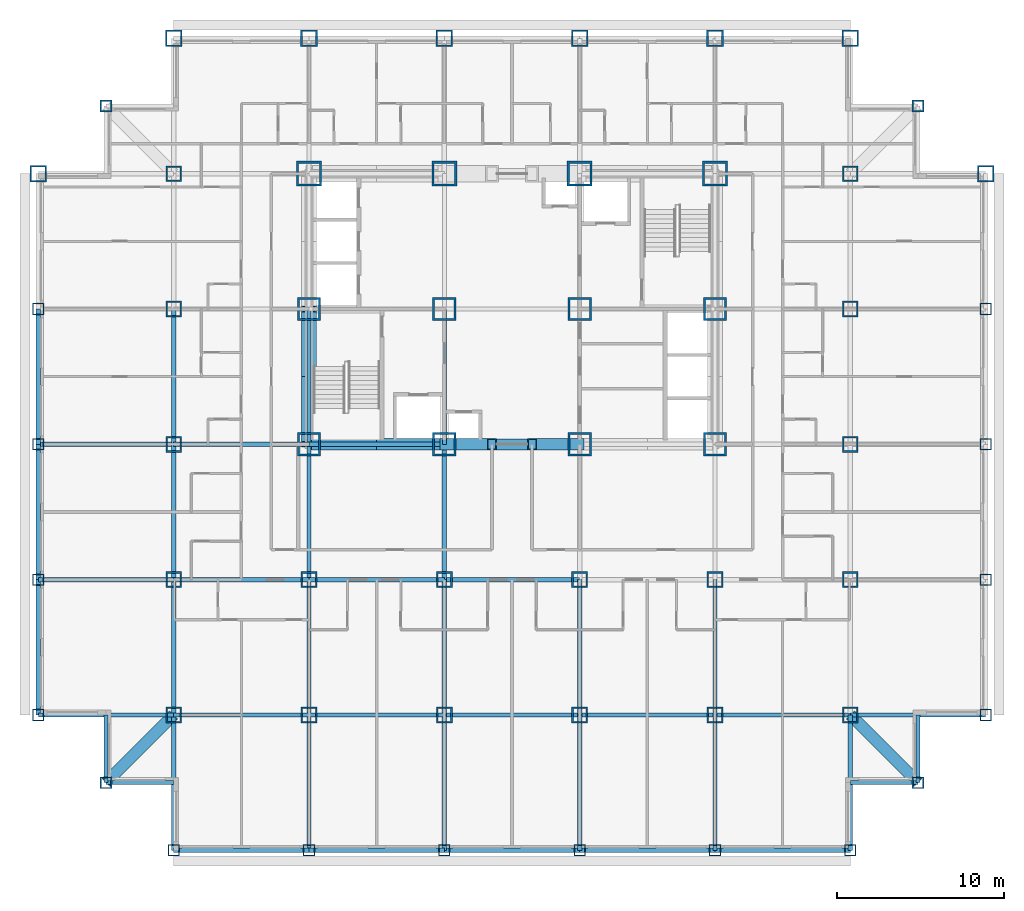
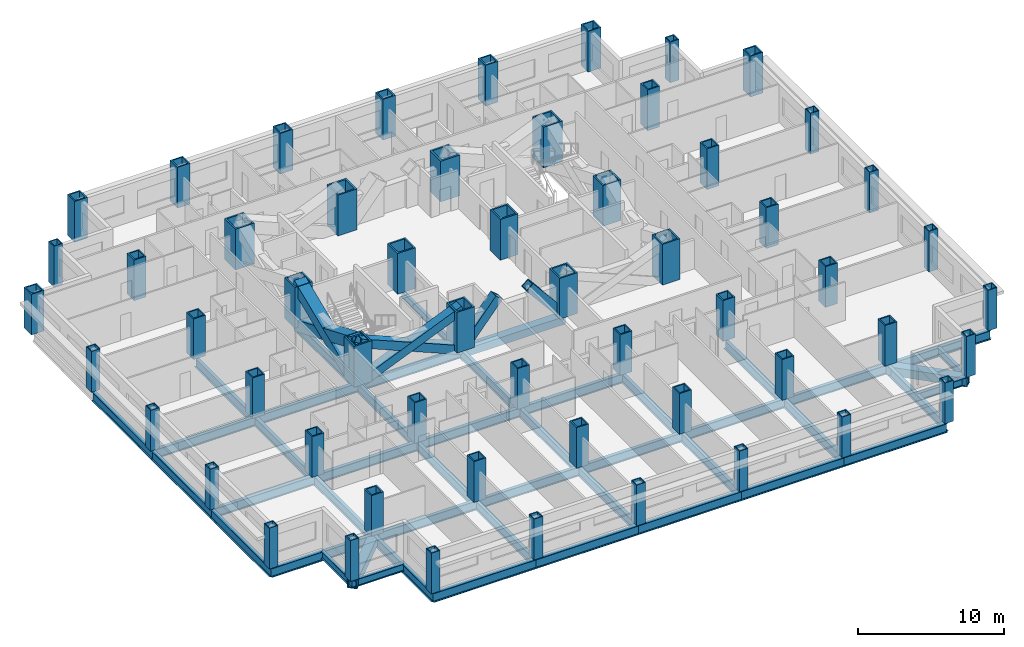
# One storey, part 1 of 11: 56 columns, 46 beams, 6 members.
"""IFC4 building model written with IfcOpenShell, lengths in metres."""

from ifc_helpers import new_model, si_unit, direction, frame, origin, origin_2d, place, context, subcontext, project, spatial, hollow_rectangle, i_section, extrude, material, material_profile, profile_set, type_object, element, save


model = new_model("IFC4")

# Units and contexts
model_context = context("Model", 3, precision=1e-05, world=origin(), true_north=direction((0.0, 1.0)))
body_context = subcontext(model_context, "Body", "Model", "MODEL_VIEW")
ifc_project = project(units=[si_unit("LENGTHUNIT", "METRE"), si_unit("AREAUNIT", "SQUARE_METRE"), si_unit("VOLUMEUNIT", "CUBIC_METRE"), si_unit("PLANEANGLEUNIT", "RADIAN"), si_unit("MASSUNIT", "GRAM", prefix="KILO")], contexts=[model_context])

# Site, building, storey
site_placement = place(None, origin())
site = spatial("IfcSite", under=ifc_project, at=site_placement, CompositionType="ELEMENT")
building_placement = place(site_placement, origin())
building = spatial("IfcBuilding", under=site, at=building_placement, Name="Kopane Lantern Tower", CompositionType="ELEMENT")
storey_placement = place(building_placement, frame((0.0, 0.0, 84.0)))
storey = spatial("IfcBuildingStorey", under=building, at=storey_placement, Name="L21", CompositionType="ELEMENT", Elevation=84.0)

# Columns
ifc_material_1 = material(Name="Steel S355JR", Category="steel")
ifc_material_profile_1 = material_profile(ifc_material_1, hollow_rectangle(XDim=1.0, YDim=1.0, WallThickness=0.10009765625, at=origin_2d()), Name="BOX 1000x1000x100")
ifc_profile_set_1 = profile_set([ifc_material_profile_1], Name="Steel S355JR")
column_type_1 = type_object("IfcColumnType", Name="COLUMN BOX 1000x1000x100", PredefinedType="COLUMN", material=ifc_profile_set_1)
for number, where, z_axis, x_axis, name in (
    (1, (0.0, 40.5, 0.0), (0.0, 0.0, 1.0), (1.0, 0.0, 0.0), "Column 2/G L21"),
    (2, (8.10009765625, 48.60009765625, 0.0), (0.0, 0.0, 1.0), (1.0, 0.0, 0.0), "Column 3/H L21"),
    (3, (16.199951171875, 48.60009765625, 0.0), (0.0, 0.0, 1.0), (1.0, 0.0, 0.0), "Column 4/H L21"),
    (4, (24.300048828125, 48.60009765625, 0.0), (0.0, 0.0, 1.0), (1.0, 0.0, 0.0), "Column 5/H L21"),
    (5, (32.39990234375, 48.60009765625, 0.0), (0.0, 0.0, 1.0), (1.0, 0.0, 0.0), "Column 6/H L21"),
    (6, (40.5, 48.60009765625, 0.0), (0.0, 0.0, 1.0), (1.0, 0.0, 0.0), "Column 7/H L21"),
    (7, (48.60009765625, 48.60009765625, 0.0), (0.0, 0.0, 1.0), (1.0, 0.0, 0.0), "Column 8/H L21"),
    (8, (56.699951171875, 40.5, 0.0), (0.0, 0.0, 1.0), (1.0, 0.0, 0.0), "Column 9/G L21"),
):
    element("IfcColumn", number, at=place(storey_placement, frame(where, z_axis=z_axis, x_axis=x_axis)), inside=storey, type_object=column_type_1, Name=name, PredefinedType="COLUMN", context=body_context, shape_type="SweptSolid", body=[
        extrude(hollow_rectangle(XDim=1.0, YDim=1.0, WallThickness=0.10009765625, at=origin_2d()), origin(), (0.0, 0.0, 1.0), 3.39990234375),
    ])
ifc_material_2 = material(Name="Steel S355JR", Category="steel")
ifc_material_profile_2 = material_profile(ifc_material_2, hollow_rectangle(XDim=1.39990234375, YDim=1.39990234375, WallThickness=0.1201171875, at=origin_2d()), Name="BOX 1400x1400x120")
ifc_profile_set_2 = profile_set([ifc_material_profile_2], Name="Steel S355JR")
column_type_2 = type_object("IfcColumnType", Name="COLUMN BOX 1400x1400x120", PredefinedType="COLUMN", material=ifc_profile_set_2)
for number, where, z_axis, x_axis, name in (
    (9, (16.199951171875, 24.300048828125, 0.0), (0.0, 0.0, 1.0), (1.0, 0.0, 0.0), "Column 4/E L21"),
    (10, (16.199951171875, 32.39990234375, 0.0), (0.0, 0.0, 1.0), (1.0, 0.0, 0.0), "Column 4/F L21"),
    (11, (24.300048828125, 24.300048828125, 0.0), (0.0, 0.0, 1.0), (1.0, 0.0, 0.0), "Column 5/E L21"),
    (12, (24.300048828125, 32.39990234375, 0.0), (0.0, 0.0, 1.0), (1.0, 0.0, 0.0), "Column 5/F L21"),
    (13, (32.39990234375, 24.300048828125, 0.0), (0.0, 0.0, 1.0), (1.0, 0.0, 0.0), "Column 6/E L21"),
    (14, (32.39990234375, 32.39990234375, 0.0), (0.0, 0.0, 1.0), (1.0, 0.0, 0.0), "Column 6/F L21"),
    (15, (40.5, 24.300048828125, 0.0), (0.0, 0.0, 1.0), (1.0, 0.0, 0.0), "Column 7/E L21"),
    (16, (40.5, 32.39990234375, 0.0), (0.0, 0.0, 1.0), (1.0, 0.0, 0.0), "Column 7/F L21"),
):
    element("IfcColumn", number, at=place(storey_placement, frame(where, z_axis=z_axis, x_axis=x_axis)), inside=storey, type_object=column_type_2, Name=name, PredefinedType="COLUMN", context=body_context, shape_type="SweptSolid", body=[
        extrude(hollow_rectangle(XDim=1.39990234375, YDim=1.39990234375, WallThickness=0.1201171875, at=origin_2d()), origin(), (0.0, 0.0, 1.0), 3.39990234375),
    ])
ifc_material_3 = material(Name="Steel S355JR", Category="steel")
ifc_material_profile_3 = material_profile(ifc_material_3, hollow_rectangle(XDim=1.5, YDim=1.5, WallThickness=0.1298828125, at=origin_2d()), Name="BOX 1500x1500x130")
ifc_profile_set_3 = profile_set([ifc_material_profile_3], Name="Steel S355JR")
column_type_3 = type_object("IfcColumnType", Name="COLUMN BOX 1500x1500x130", PredefinedType="COLUMN", material=ifc_profile_set_3)
for number, where, z_axis, x_axis, name in (
    (17, (16.199951171875, 40.5, 0.0), (0.0, 0.0, 1.0), (1.0, 0.0, 0.0), "Column 4/G L21"),
    (18, (24.300048828125, 40.5, 0.0), (0.0, 0.0, 1.0), (1.0, 0.0, 0.0), "Column 5/G L21"),
    (19, (32.39990234375, 40.5, 0.0), (0.0, 0.0, 1.0), (1.0, 0.0, 0.0), "Column 6/G L21"),
    (20, (40.5, 40.5, 0.0), (0.0, 0.0, 1.0), (1.0, 0.0, 0.0), "Column 7/G L21"),
):
    element("IfcColumn", number, at=place(storey_placement, frame(where, z_axis=z_axis, x_axis=x_axis)), inside=storey, type_object=column_type_3, Name=name, PredefinedType="COLUMN", context=body_context, shape_type="SweptSolid", body=[
        extrude(hollow_rectangle(XDim=1.5, YDim=1.5, WallThickness=0.1298828125, at=origin_2d()), origin(), (0.0, 0.0, 1.0), 3.39990234375),
    ])
ifc_material_4 = material(Name="Steel S355JR", Category="steel")
ifc_material_profile_4 = material_profile(ifc_material_4, hollow_rectangle(XDim=0.699951171875, YDim=0.699951171875, WallThickness=0.06005859375, at=origin_2d()), Name="BOX 700x700x60")
ifc_profile_set_4 = profile_set([ifc_material_profile_4], Name="Steel S355JR")
column_type_4 = type_object("IfcColumnType", Name="COLUMN BOX 700x700x60", PredefinedType="COLUMN", material=ifc_profile_set_4)
for number, where, z_axis, x_axis, name in (
    (21, (0.0, 8.10009765625, 0.0), (0.0, 0.0, 1.0), (1.0, 0.0, 0.0), "Column 2/C L21"),
    (22, (0.0, 16.199951171875, 0.0), (0.0, 0.0, 1.0), (1.0, 0.0, 0.0), "Column 2/D L21"),
    (23, (0.0, 24.300048828125, 0.0), (0.0, 0.0, 1.0), (1.0, 0.0, 0.0), "Column 2/E L21"),
    (24, (0.0, 32.39990234375, 0.0), (0.0, 0.0, 1.0), (1.0, 0.0, 0.0), "Column 2/F L21"),
    (25, (8.10009765625, 0.0, 0.0), (0.0, 0.0, 1.0), (1.0, 0.0, 0.0), "Column 3/B L21"),
    (26, (16.199951171875, 0.0, 0.0), (0.0, 0.0, 1.0), (1.0, 0.0, 0.0), "Column 4/B L21"),
    (27, (24.300048828125, 0.0, 0.0), (0.0, 0.0, 1.0), (1.0, 0.0, 0.0), "Column 5/B L21"),
    (28, (32.39990234375, 0.0, 0.0), (0.0, 0.0, 1.0), (1.0, 0.0, 0.0), "Column 6/B L21"),
    (29, (40.5, 0.0, 0.0), (0.0, 0.0, 1.0), (1.0, 0.0, 0.0), "Column 7/B L21"),
    (30, (48.60009765625, 0.0, 0.0), (0.0, 0.0, 1.0), (1.0, 0.0, 0.0), "Column 8/B L21"),
    (31, (56.699951171875, 8.10009765625, 0.0), (0.0, 0.0, 1.0), (1.0, 0.0, 0.0), "Column 9/C L21"),
    (32, (56.699951171875, 16.199951171875, 0.0), (0.0, 0.0, 1.0), (1.0, 0.0, 0.0), "Column 9/D L21"),
    (33, (56.699951171875, 24.300048828125, 0.0), (0.0, 0.0, 1.0), (1.0, 0.0, 0.0), "Column 9/E L21"),
    (34, (56.699951171875, 32.39990234375, 0.0), (0.0, 0.0, 1.0), (1.0, 0.0, 0.0), "Column 9/F L21"),
):
    element("IfcColumn", number, at=place(storey_placement, frame(where, z_axis=z_axis, x_axis=x_axis)), inside=storey, type_object=column_type_4, Name=name, PredefinedType="COLUMN", context=body_context, shape_type="SweptSolid", body=[
        extrude(hollow_rectangle(XDim=0.699951171875, YDim=0.699951171875, WallThickness=0.06005859375, at=origin_2d()), origin(), (0.0, 0.0, 1.0), 3.39990234375),
    ])
ifc_material_5 = material(Name="Steel S355JR", Category="steel")
ifc_material_profile_5 = material_profile(ifc_material_5, hollow_rectangle(XDim=0.699951171875, YDim=0.699951171875, WallThickness=0.070068359375, at=origin_2d()), Name="BOX 700x700x70")
ifc_profile_set_5 = profile_set([ifc_material_profile_5], Name="Steel S355JR")
column_type_5 = type_object("IfcColumnType", Name="COLUMN BOX 700x700x70", PredefinedType="COLUMN", material=ifc_profile_set_5)
for number, where, z_axis, x_axis, name in (
    (35, (4.050048828125, 4.050048828125, 0.0), (0.0, 0.0, 1.0), (1.0, 0.0, 0.0), "Column 4.05/4.05 L21"),
    (36, (4.050048828125, 44.550048828125, 0.0), (0.0, 0.0, 1.0), (1.0, 0.0, 0.0), "Column 4.05/44.55 L21"),
    (37, (52.64990234375, 4.050048828125, 0.0), (0.0, 0.0, 1.0), (1.0, 0.0, 0.0), "Column 52.65/4.05 L21"),
    (38, (52.64990234375, 44.550048828125, 0.0), (0.0, 0.0, 1.0), (1.0, 0.0, 0.0), "Column 52.65/44.55 L21"),
):
    element("IfcColumn", number, at=place(storey_placement, frame(where, z_axis=z_axis, x_axis=x_axis)), inside=storey, type_object=column_type_5, Name=name, PredefinedType="COLUMN", context=body_context, shape_type="SweptSolid", body=[
        extrude(hollow_rectangle(XDim=0.699951171875, YDim=0.699951171875, WallThickness=0.070068359375, at=origin_2d()), origin(), (0.0, 0.0, 1.0), 3.39990234375),
    ])
ifc_material_6 = material(Name="Steel S355JR", Category="steel")
ifc_material_profile_6 = material_profile(ifc_material_6, hollow_rectangle(XDim=0.949951171875, YDim=0.949951171875, WallThickness=0.094970703125, at=origin_2d()), Name="BOX 950x950x95")
ifc_profile_set_6 = profile_set([ifc_material_profile_6], Name="Steel S355JR")
column_type_6 = type_object("IfcColumnType", Name="COLUMN BOX 950x950x95", PredefinedType="COLUMN", material=ifc_profile_set_6)
for number, where, z_axis, x_axis, name in (
    (39, (8.10009765625, 8.10009765625, 0.0), (0.0, 0.0, 1.0), (1.0, 0.0, 0.0), "Column 3/C L21"),
    (40, (8.10009765625, 16.199951171875, 0.0), (0.0, 0.0, 1.0), (1.0, 0.0, 0.0), "Column 3/D L21"),
    (41, (8.10009765625, 24.300048828125, 0.0), (0.0, 0.0, 1.0), (1.0, 0.0, 0.0), "Column 3/E L21"),
    (42, (8.10009765625, 32.39990234375, 0.0), (0.0, 0.0, 1.0), (1.0, 0.0, 0.0), "Column 3/F L21"),
    (43, (8.10009765625, 40.5, 0.0), (0.0, 0.0, 1.0), (1.0, 0.0, 0.0), "Column 3/G L21"),
    (44, (16.199951171875, 8.10009765625, 0.0), (0.0, 0.0, 1.0), (1.0, 0.0, 0.0), "Column 4/C L21"),
    (45, (16.199951171875, 16.199951171875, 0.0), (0.0, 0.0, 1.0), (1.0, 0.0, 0.0), "Column 4/D L21"),
    (46, (24.300048828125, 8.10009765625, 0.0), (0.0, 0.0, 1.0), (1.0, 0.0, 0.0), "Column 5/C L21"),
    (47, (24.300048828125, 16.199951171875, 0.0), (0.0, 0.0, 1.0), (1.0, 0.0, 0.0), "Column 5/D L21"),
    (48, (32.39990234375, 8.10009765625, 0.0), (0.0, 0.0, 1.0), (1.0, 0.0, 0.0), "Column 6/C L21"),
    (49, (32.39990234375, 16.199951171875, 0.0), (0.0, 0.0, 1.0), (1.0, 0.0, 0.0), "Column 6/D L21"),
    (50, (40.5, 8.10009765625, 0.0), (0.0, 0.0, 1.0), (1.0, 0.0, 0.0), "Column 7/C L21"),
    (51, (40.5, 16.199951171875, 0.0), (0.0, 0.0, 1.0), (1.0, 0.0, 0.0), "Column 7/D L21"),
    (52, (48.60009765625, 8.10009765625, 0.0), (0.0, 0.0, 1.0), (1.0, 0.0, 0.0), "Column 8/C L21"),
    (53, (48.60009765625, 16.199951171875, 0.0), (0.0, 0.0, 1.0), (1.0, 0.0, 0.0), "Column 8/D L21"),
    (54, (48.60009765625, 24.300048828125, 0.0), (0.0, 0.0, 1.0), (1.0, 0.0, 0.0), "Column 8/E L21"),
    (55, (48.60009765625, 32.39990234375, 0.0), (0.0, 0.0, 1.0), (1.0, 0.0, 0.0), "Column 8/F L21"),
    (56, (48.60009765625, 40.5, 0.0), (0.0, 0.0, 1.0), (1.0, 0.0, 0.0), "Column 8/G L21"),
):
    element("IfcColumn", number, at=place(storey_placement, frame(where, z_axis=z_axis, x_axis=x_axis)), inside=storey, type_object=column_type_6, Name=name, PredefinedType="COLUMN", context=body_context, shape_type="SweptSolid", body=[
        extrude(hollow_rectangle(XDim=0.949951171875, YDim=0.949951171875, WallThickness=0.094970703125, at=origin_2d()), origin(), (0.0, 0.0, 1.0), 3.39990234375),
    ])

# Members
ifc_material_7 = material(Name="Steel S355JR", Category="steel")
ifc_material_profile_7 = material_profile(ifc_material_7, hollow_rectangle(XDim=0.699951171875, YDim=0.699951171875, WallThickness=0.06005859375, at=origin_2d()), Name="BOX 700x700x60")
ifc_profile_set_7 = profile_set([ifc_material_profile_7], Name="Steel S355JR")
member_type_1 = type_object("IfcMemberType", Name="BRACE BOX 700x700x60", PredefinedType="BRACE", material=ifc_profile_set_7)
for number, where, z_axis, x_axis, name in (
    (57, (16.199951171875, 24.300048828125, -0.2099609375), (0.922069000757, 0.0, 0.387025526088), (0.0, 1.0, 0.0), "Core brace L21"),
    (58, (24.300048828125, 24.300048828125, -0.2099609375), (-0.922069000757, 0.0, 0.387025526088), (0.0, -1.0, 0.0), "Core brace L21"),
):
    element("IfcMember", number, at=place(storey_placement, frame(where, z_axis=z_axis, x_axis=x_axis)), inside=storey, type_object=member_type_1, Name=name, PredefinedType="BRACE", context=body_context, shape_type="SweptSolid", body=[
        extrude(hollow_rectangle(XDim=0.699951171875, YDim=0.699951171875, WallThickness=0.06005859375, at=origin_2d()), origin(), (0.0, 0.0, 1.0), 8.78466796875),
    ])
for number, where, z_axis, x_axis, name in (
    (59, (24.300048828125, 24.300048828125, -0.2099609375), (0.642390257445, 0.0, 0.7663776857), (0.0, 1.0, 0.0), "Core brace L21"),
    (60, (32.39990234375, 24.300048828125, -0.2099609375), (-0.642390257445, 0.0, 0.7663776857), (0.0, -1.0, 0.0), "Core brace L21"),
):
    element("IfcMember", number, at=place(storey_placement, frame(where, z_axis=z_axis, x_axis=x_axis)), inside=storey, type_object=member_type_1, Name=name, PredefinedType="BRACE", context=body_context, shape_type="SweptSolid", body=[
        extrude(hollow_rectangle(XDim=0.699951171875, YDim=0.699951171875, WallThickness=0.06005859375, at=origin_2d()), origin(), (0.0, 0.0, 1.0), 4.436279296875),
    ])
ifc_material_8 = material(Name="Steel S355JR", Category="steel")
ifc_material_profile_8 = material_profile(ifc_material_8, hollow_rectangle(XDim=0.89990234375, YDim=0.89990234375, WallThickness=0.090087890625, at=origin_2d()), Name="BOX 900x900x90")
ifc_profile_set_8 = profile_set([ifc_material_profile_8], Name="Steel S355JR")
member_type_2 = type_object("IfcMemberType", Name="BRACE BOX 900x900x90", PredefinedType="BRACE", material=ifc_profile_set_8)
for number, where, z_axis, x_axis, name in (
    (61, (16.199951171875, 24.300048828125, -0.2099609375), (0.0, 0.922064837731, 0.38703544414), (-1.0, 0.0, 0.0), "Core brace L21"),
    (62, (16.199951171875, 32.39990234375, -0.2099609375), (0.0, -0.922064837731, 0.38703544414), (1.0, 0.0, 0.0), "Core brace L21"),
):
    element("IfcMember", number, at=place(storey_placement, frame(where, z_axis=z_axis, x_axis=x_axis)), inside=storey, type_object=member_type_2, Name=name, PredefinedType="BRACE", context=body_context, shape_type="SweptSolid", body=[
        extrude(hollow_rectangle(XDim=0.89990234375, YDim=0.89990234375, WallThickness=0.090087890625, at=origin_2d()), origin(), (0.0, 0.0, 1.0), 8.784423828125),
    ])

# Beams
ifc_material_9 = material(Name="Steel S355JR", Category="steel")
ifc_material_profile_9 = material_profile(ifc_material_9, i_section(OverallWidth=0.22900390625, OverallDepth=0.6123046875, WebThickness=0.011962890625, FlangeThickness=0.01953125, FilletRadius=0.0126953125, at=origin_2d()), Name="UB 610x229x125")
ifc_profile_set_9 = profile_set([ifc_material_profile_9], Name="Steel S355JR")
beam_type_1 = type_object("IfcBeamType", Name="CORE BEAM UB 610x229x125", PredefinedType="BEAM", material=ifc_profile_set_9)
beam_1_placement = place(storey_placement, frame((24.300048828125, 24.300048828125, -0.51611328125), z_axis=(0.0, 1.0, 0.0), x_axis=(-1.0, 0.0, 0.0)))
element("IfcBeam", 63, at=beam_1_placement, inside=storey, type_object=beam_type_1, Name="Core Beam L21", PredefinedType="BEAM", context=body_context, shape_type="SweptSolid", body=[
    extrude(i_section(OverallWidth=0.22900390625, OverallDepth=0.6123046875, WebThickness=0.011962890625, FlangeThickness=0.01953125, FilletRadius=0.0126953125, at=origin_2d()), origin(), (0.0, 0.0, 1.0), 8.099853515625),
])
ifc_material_10 = material(Name="Steel S355JR", Category="steel")
ifc_material_profile_10 = material_profile(ifc_material_10, hollow_rectangle(XDim=0.699951171875, YDim=0.699951171875, WallThickness=0.06005859375, at=origin_2d()), Name="BOX 700x700x60")
ifc_profile_set_10 = profile_set([ifc_material_profile_10], Name="Steel S355JR")
beam_type_2 = type_object("IfcBeamType", Name="CORNER TIE BEAM BOX 700x700x60", PredefinedType="BEAM", material=ifc_profile_set_10)
for number, where, z_axis, x_axis, name in (
    (64, (4.050048828125, 4.050048828125, -0.56005859375), (0.707106781187, 0.707106781187, 0.0), (-0.707106781187, 0.707106781187, 0.0), "Corner Tie Beam L21"),
    (65, (52.64990234375, 4.050048828125, -0.56005859375), (-0.707085467703, 0.707128094028, 0.0), (-0.707128094028, -0.707085467703, 0.0), "Corner Tie Beam L21"),
):
    element("IfcBeam", number, at=place(storey_placement, frame(where, z_axis=z_axis, x_axis=x_axis)), inside=storey, type_object=beam_type_2, Name=name, PredefinedType="BEAM", context=body_context, shape_type="SweptSolid", body=[
        extrude(hollow_rectangle(XDim=0.699951171875, YDim=0.699951171875, WallThickness=0.06005859375, at=origin_2d()), origin(), (0.0, 0.0, 1.0), 5.7275390625),
    ])
ifc_material_11 = material(Name="Steel S355JR", Category="steel")
ifc_material_profile_11 = material_profile(ifc_material_11, i_section(OverallWidth=0.22900390625, OverallDepth=0.6123046875, WebThickness=0.011962890625, FlangeThickness=0.01953125, FilletRadius=0.0126953125, at=origin_2d()), Name="UB 610x229x125")
ifc_profile_set_11 = profile_set([ifc_material_profile_11], Name="Steel S355JR")
beam_type_3 = type_object("IfcBeamType", Name="EDGE BEAM UB 610x229x125", PredefinedType="BEAM", material=ifc_profile_set_11)
for number, where, z_axis, x_axis, name in (
    (66, (4.050048828125, 4.050048828125, -0.51611328125), (0.0, 1.0, 0.0), (-1.0, 0.0, 0.0), "Edge Beam L21"),
    (67, (4.050048828125, 4.050048828125, -0.51611328125), (1.0, 0.0, 0.0), (0.0, 1.0, 0.0), "Edge Beam L21"),
):
    element("IfcBeam", number, at=place(storey_placement, frame(where, z_axis=z_axis, x_axis=x_axis)), inside=storey, type_object=beam_type_3, Name=name, PredefinedType="BEAM", context=body_context, shape_type="SweptSolid", body=[
        extrude(i_section(OverallWidth=0.22900390625, OverallDepth=0.6123046875, WebThickness=0.011962890625, FlangeThickness=0.01953125, FilletRadius=0.0126953125, at=origin_2d()), origin(), (0.0, 0.0, 1.0), 4.050048828125),
    ])
beam_2_placement = place(storey_placement, frame((52.64990234375, 4.050048828125, -0.51611328125), z_axis=(-1.0, 0.0, 0.0), x_axis=(0.0, -1.0, 0.0)))
element("IfcBeam", 68, at=beam_2_placement, inside=storey, type_object=beam_type_3, Name="Edge Beam L21", PredefinedType="BEAM", context=body_context, shape_type="SweptSolid", body=[
    extrude(i_section(OverallWidth=0.22900390625, OverallDepth=0.6123046875, WebThickness=0.011962890625, FlangeThickness=0.01953125, FilletRadius=0.0126953125, at=origin_2d()), origin(), (0.0, 0.0, 1.0), 4.0498046875),
])
beam_3_placement = place(storey_placement, frame((52.64990234375, 4.050048828125, -0.51611328125), z_axis=(0.0, 1.0, 0.0), x_axis=(-1.0, 0.0, 0.0)))
element("IfcBeam", 69, at=beam_3_placement, inside=storey, type_object=beam_type_3, Name="Edge Beam L21", PredefinedType="BEAM", context=body_context, shape_type="SweptSolid", body=[
    extrude(i_section(OverallWidth=0.22900390625, OverallDepth=0.6123046875, WebThickness=0.011962890625, FlangeThickness=0.01953125, FilletRadius=0.0126953125, at=origin_2d()), origin(), (0.0, 0.0, 1.0), 4.050048828125),
])
ifc_material_12 = material(Name="Steel S355JR", Category="steel")
ifc_material_profile_12 = material_profile(ifc_material_12, i_section(OverallWidth=0.2666015625, OverallDepth=0.76220703125, WebThickness=0.014404296875, FlangeThickness=0.021484375, FilletRadius=0.0166015625, at=origin_2d()), Name="UB 762x267x173")
ifc_profile_set_12 = profile_set([ifc_material_profile_12], Name="Steel S355JR")
beam_type_4 = type_object("IfcBeamType", Name="GIRDER UB 762x267x173", PredefinedType="BEAM", material=ifc_profile_set_12)
beam_4_placement = place(storey_placement, frame((0.0, 8.10009765625, -0.591064453125), z_axis=(0.0, 1.0, 0.0), x_axis=(-1.0, 0.0, 0.0)))
element("IfcBeam", 70, at=beam_4_placement, inside=storey, type_object=beam_type_4, Name="Girder L21", PredefinedType="BEAM", context=body_context, shape_type="SweptSolid", body=[
    extrude(i_section(OverallWidth=0.2666015625, OverallDepth=0.76220703125, WebThickness=0.014404296875, FlangeThickness=0.021484375, FilletRadius=0.0166015625, at=origin_2d()), origin(), (0.0, 0.0, 1.0), 8.099853515625),
])
for number, where, z_axis, x_axis, name in (
    (71, (0.0, 8.10009765625, -0.591064453125), (1.0, 0.0, 0.0), (0.0, 1.0, 0.0), "Girder L21"),
    (72, (0.0, 16.199951171875, -0.591064453125), (0.0, 1.0, 0.0), (-1.0, 0.0, 0.0), "Girder L21"),
    (73, (0.0, 16.199951171875, -0.591064453125), (1.0, 0.0, 0.0), (0.0, 1.0, 0.0), "Girder L21"),
):
    element("IfcBeam", number, at=place(storey_placement, frame(where, z_axis=z_axis, x_axis=x_axis)), inside=storey, type_object=beam_type_4, Name=name, PredefinedType="BEAM", context=body_context, shape_type="SweptSolid", body=[
        extrude(i_section(OverallWidth=0.2666015625, OverallDepth=0.76220703125, WebThickness=0.014404296875, FlangeThickness=0.021484375, FilletRadius=0.0166015625, at=origin_2d()), origin(), (0.0, 0.0, 1.0), 8.10009765625),
    ])
beam_5_placement = place(storey_placement, frame((0.0, 24.300048828125, -0.591064453125), z_axis=(0.0, 1.0, 0.0), x_axis=(-1.0, 0.0, 0.0)))
element("IfcBeam", 74, at=beam_5_placement, inside=storey, type_object=beam_type_4, Name="Girder L21", PredefinedType="BEAM", context=body_context, shape_type="SweptSolid", body=[
    extrude(i_section(OverallWidth=0.2666015625, OverallDepth=0.76220703125, WebThickness=0.014404296875, FlangeThickness=0.021484375, FilletRadius=0.0166015625, at=origin_2d()), origin(), (0.0, 0.0, 1.0), 8.099853515625),
])
for number, where, z_axis, x_axis, name in (
    (75, (0.0, 24.300048828125, -0.591064453125), (1.0, 0.0, 0.0), (0.0, 1.0, 0.0), "Girder L21"),
    (76, (8.10009765625, 0.0, -0.591064453125), (0.0, 1.0, 0.0), (-1.0, 0.0, 0.0), "Girder L21"),
):
    element("IfcBeam", number, at=place(storey_placement, frame(where, z_axis=z_axis, x_axis=x_axis)), inside=storey, type_object=beam_type_4, Name=name, PredefinedType="BEAM", context=body_context, shape_type="SweptSolid", body=[
        extrude(i_section(OverallWidth=0.2666015625, OverallDepth=0.76220703125, WebThickness=0.014404296875, FlangeThickness=0.021484375, FilletRadius=0.0166015625, at=origin_2d()), origin(), (0.0, 0.0, 1.0), 8.10009765625),
    ])
for number, where, z_axis, x_axis, name in (
    (77, (8.10009765625, 0.0, -0.591064453125), (1.0, 0.0, 0.0), (0.0, 1.0, 0.0), "Girder L21"),
    (78, (8.10009765625, 8.10009765625, -0.591064453125), (0.0, 1.0, 0.0), (-1.0, 0.0, 0.0), "Girder L21"),
    (79, (8.10009765625, 8.10009765625, -0.591064453125), (1.0, 0.0, 0.0), (0.0, 1.0, 0.0), "Girder L21"),
):
    element("IfcBeam", number, at=place(storey_placement, frame(where, z_axis=z_axis, x_axis=x_axis)), inside=storey, type_object=beam_type_4, Name=name, PredefinedType="BEAM", context=body_context, shape_type="SweptSolid", body=[
        extrude(i_section(OverallWidth=0.2666015625, OverallDepth=0.76220703125, WebThickness=0.014404296875, FlangeThickness=0.021484375, FilletRadius=0.0166015625, at=origin_2d()), origin(), (0.0, 0.0, 1.0), 8.099853515625),
    ])
beam_6_placement = place(storey_placement, frame((8.10009765625, 16.199951171875, -0.591064453125), z_axis=(0.0, 1.0, 0.0), x_axis=(-1.0, 0.0, 0.0)))
element("IfcBeam", 80, at=beam_6_placement, inside=storey, type_object=beam_type_4, Name="Girder L21", PredefinedType="BEAM", context=body_context, shape_type="SweptSolid", body=[
    extrude(i_section(OverallWidth=0.2666015625, OverallDepth=0.76220703125, WebThickness=0.014404296875, FlangeThickness=0.021484375, FilletRadius=0.0166015625, at=origin_2d()), origin(), (0.0, 0.0, 1.0), 8.10009765625),
])
for number, where, z_axis, x_axis, name in (
    (81, (8.10009765625, 16.199951171875, -0.591064453125), (1.0, 0.0, 0.0), (0.0, 1.0, 0.0), "Girder L21"),
    (82, (8.10009765625, 24.300048828125, -0.591064453125), (0.0, 1.0, 0.0), (-1.0, 0.0, 0.0), "Girder L21"),
    (83, (8.10009765625, 24.300048828125, -0.591064453125), (1.0, 0.0, 0.0), (0.0, 1.0, 0.0), "Girder L21"),
):
    element("IfcBeam", number, at=place(storey_placement, frame(where, z_axis=z_axis, x_axis=x_axis)), inside=storey, type_object=beam_type_4, Name=name, PredefinedType="BEAM", context=body_context, shape_type="SweptSolid", body=[
        extrude(i_section(OverallWidth=0.2666015625, OverallDepth=0.76220703125, WebThickness=0.014404296875, FlangeThickness=0.021484375, FilletRadius=0.0166015625, at=origin_2d()), origin(), (0.0, 0.0, 1.0), 8.099853515625),
    ])
for number, where, z_axis, x_axis, name in (
    (84, (16.199951171875, 0.0, -0.591064453125), (0.0, 1.0, 0.0), (-1.0, 0.0, 0.0), "Girder L21"),
    (85, (16.199951171875, 0.0, -0.591064453125), (1.0, 0.0, 0.0), (0.0, 1.0, 0.0), "Girder L21"),
):
    element("IfcBeam", number, at=place(storey_placement, frame(where, z_axis=z_axis, x_axis=x_axis)), inside=storey, type_object=beam_type_4, Name=name, PredefinedType="BEAM", context=body_context, shape_type="SweptSolid", body=[
        extrude(i_section(OverallWidth=0.2666015625, OverallDepth=0.76220703125, WebThickness=0.014404296875, FlangeThickness=0.021484375, FilletRadius=0.0166015625, at=origin_2d()), origin(), (0.0, 0.0, 1.0), 8.10009765625),
    ])
beam_7_placement = place(storey_placement, frame((16.199951171875, 8.10009765625, -0.591064453125), z_axis=(0.0, 1.0, 0.0), x_axis=(-1.0, 0.0, 0.0)))
element("IfcBeam", 86, at=beam_7_placement, inside=storey, type_object=beam_type_4, Name="Girder L21", PredefinedType="BEAM", context=body_context, shape_type="SweptSolid", body=[
    extrude(i_section(OverallWidth=0.2666015625, OverallDepth=0.76220703125, WebThickness=0.014404296875, FlangeThickness=0.021484375, FilletRadius=0.0166015625, at=origin_2d()), origin(), (0.0, 0.0, 1.0), 8.099853515625),
])
for number, where, z_axis, x_axis, name in (
    (87, (16.199951171875, 8.10009765625, -0.591064453125), (1.0, 0.0, 0.0), (0.0, 1.0, 0.0), "Girder L21"),
    (88, (16.199951171875, 16.199951171875, -0.591064453125), (0.0, 1.0, 0.0), (-1.0, 0.0, 0.0), "Girder L21"),
    (89, (16.199951171875, 16.199951171875, -0.591064453125), (1.0, 0.0, 0.0), (0.0, 1.0, 0.0), "Girder L21"),
):
    element("IfcBeam", number, at=place(storey_placement, frame(where, z_axis=z_axis, x_axis=x_axis)), inside=storey, type_object=beam_type_4, Name=name, PredefinedType="BEAM", context=body_context, shape_type="SweptSolid", body=[
        extrude(i_section(OverallWidth=0.2666015625, OverallDepth=0.76220703125, WebThickness=0.014404296875, FlangeThickness=0.021484375, FilletRadius=0.0166015625, at=origin_2d()), origin(), (0.0, 0.0, 1.0), 8.10009765625),
    ])
beam_8_placement = place(storey_placement, frame((16.199951171875, 24.300048828125, -0.591064453125), z_axis=(0.0, 1.0, 0.0), x_axis=(-1.0, 0.0, 0.0)))
element("IfcBeam", 90, at=beam_8_placement, inside=storey, type_object=beam_type_4, Name="Girder L21", PredefinedType="BEAM", context=body_context, shape_type="SweptSolid", body=[
    extrude(i_section(OverallWidth=0.2666015625, OverallDepth=0.76220703125, WebThickness=0.014404296875, FlangeThickness=0.021484375, FilletRadius=0.0166015625, at=origin_2d()), origin(), (0.0, 0.0, 1.0), 8.099853515625),
])
for number, where, z_axis, x_axis, name in (
    (91, (16.199951171875, 24.300048828125, -0.591064453125), (1.0, 0.0, 0.0), (0.0, 1.0, 0.0), "Girder L21"),
    (92, (24.300048828125, 0.0, -0.591064453125), (0.0, 1.0, 0.0), (-1.0, 0.0, 0.0), "Girder L21"),
):
    element("IfcBeam", number, at=place(storey_placement, frame(where, z_axis=z_axis, x_axis=x_axis)), inside=storey, type_object=beam_type_4, Name=name, PredefinedType="BEAM", context=body_context, shape_type="SweptSolid", body=[
        extrude(i_section(OverallWidth=0.2666015625, OverallDepth=0.76220703125, WebThickness=0.014404296875, FlangeThickness=0.021484375, FilletRadius=0.0166015625, at=origin_2d()), origin(), (0.0, 0.0, 1.0), 8.10009765625),
    ])
for number, where, z_axis, x_axis, name in (
    (93, (24.300048828125, 0.0, -0.591064453125), (1.0, 0.0, 0.0), (0.0, 1.0, 0.0), "Girder L21"),
    (94, (24.300048828125, 8.10009765625, -0.591064453125), (0.0, 1.0, 0.0), (-1.0, 0.0, 0.0), "Girder L21"),
    (95, (24.300048828125, 8.10009765625, -0.591064453125), (1.0, 0.0, 0.0), (0.0, 1.0, 0.0), "Girder L21"),
):
    element("IfcBeam", number, at=place(storey_placement, frame(where, z_axis=z_axis, x_axis=x_axis)), inside=storey, type_object=beam_type_4, Name=name, PredefinedType="BEAM", context=body_context, shape_type="SweptSolid", body=[
        extrude(i_section(OverallWidth=0.2666015625, OverallDepth=0.76220703125, WebThickness=0.014404296875, FlangeThickness=0.021484375, FilletRadius=0.0166015625, at=origin_2d()), origin(), (0.0, 0.0, 1.0), 8.099853515625),
    ])
beam_9_placement = place(storey_placement, frame((24.300048828125, 16.199951171875, -0.591064453125), z_axis=(0.0, 1.0, 0.0), x_axis=(-1.0, 0.0, 0.0)))
element("IfcBeam", 96, at=beam_9_placement, inside=storey, type_object=beam_type_4, Name="Girder L21", PredefinedType="BEAM", context=body_context, shape_type="SweptSolid", body=[
    extrude(i_section(OverallWidth=0.2666015625, OverallDepth=0.76220703125, WebThickness=0.014404296875, FlangeThickness=0.021484375, FilletRadius=0.0166015625, at=origin_2d()), origin(), (0.0, 0.0, 1.0), 8.10009765625),
])
beam_10_placement = place(storey_placement, frame((24.300048828125, 16.199951171875, -0.591064453125), z_axis=(1.0, 0.0, 0.0), x_axis=(0.0, 1.0, 0.0)))
element("IfcBeam", 97, at=beam_10_placement, inside=storey, type_object=beam_type_4, Name="Girder L21", PredefinedType="BEAM", context=body_context, shape_type="SweptSolid", body=[
    extrude(i_section(OverallWidth=0.2666015625, OverallDepth=0.76220703125, WebThickness=0.014404296875, FlangeThickness=0.021484375, FilletRadius=0.0166015625, at=origin_2d()), origin(), (0.0, 0.0, 1.0), 8.099853515625),
])
for number, where, z_axis, x_axis, name in (
    (98, (32.39990234375, 0.0, -0.591064453125), (0.0, 1.0, 0.0), (-1.0, 0.0, 0.0), "Girder L21"),
    (99, (32.39990234375, 0.0, -0.591064453125), (1.0, 0.0, 0.0), (0.0, 1.0, 0.0), "Girder L21"),
):
    element("IfcBeam", number, at=place(storey_placement, frame(where, z_axis=z_axis, x_axis=x_axis)), inside=storey, type_object=beam_type_4, Name=name, PredefinedType="BEAM", context=body_context, shape_type="SweptSolid", body=[
        extrude(i_section(OverallWidth=0.2666015625, OverallDepth=0.76220703125, WebThickness=0.014404296875, FlangeThickness=0.021484375, FilletRadius=0.0166015625, at=origin_2d()), origin(), (0.0, 0.0, 1.0), 8.10009765625),
    ])
beam_11_placement = place(storey_placement, frame((32.39990234375, 8.10009765625, -0.591064453125), z_axis=(0.0, 1.0, 0.0), x_axis=(-1.0, 0.0, 0.0)))
element("IfcBeam", 100, at=beam_11_placement, inside=storey, type_object=beam_type_4, Name="Girder L21", PredefinedType="BEAM", context=body_context, shape_type="SweptSolid", body=[
    extrude(i_section(OverallWidth=0.2666015625, OverallDepth=0.76220703125, WebThickness=0.014404296875, FlangeThickness=0.021484375, FilletRadius=0.0166015625, at=origin_2d()), origin(), (0.0, 0.0, 1.0), 8.099853515625),
])
for number, where, z_axis, x_axis, name in (
    (101, (32.39990234375, 8.10009765625, -0.591064453125), (1.0, 0.0, 0.0), (0.0, 1.0, 0.0), "Girder L21"),
    (102, (40.5, 0.0, -0.591064453125), (0.0, 1.0, 0.0), (-1.0, 0.0, 0.0), "Girder L21"),
    (103, (40.5, 0.0, -0.591064453125), (1.0, 0.0, 0.0), (0.0, 1.0, 0.0), "Girder L21"),
):
    element("IfcBeam", number, at=place(storey_placement, frame(where, z_axis=z_axis, x_axis=x_axis)), inside=storey, type_object=beam_type_4, Name=name, PredefinedType="BEAM", context=body_context, shape_type="SweptSolid", body=[
        extrude(i_section(OverallWidth=0.2666015625, OverallDepth=0.76220703125, WebThickness=0.014404296875, FlangeThickness=0.021484375, FilletRadius=0.0166015625, at=origin_2d()), origin(), (0.0, 0.0, 1.0), 8.10009765625),
    ])
beam_12_placement = place(storey_placement, frame((40.5, 8.10009765625, -0.591064453125), z_axis=(0.0, 1.0, 0.0), x_axis=(-1.0, 0.0, 0.0)))
element("IfcBeam", 104, at=beam_12_placement, inside=storey, type_object=beam_type_4, Name="Girder L21", PredefinedType="BEAM", context=body_context, shape_type="SweptSolid", body=[
    extrude(i_section(OverallWidth=0.2666015625, OverallDepth=0.76220703125, WebThickness=0.014404296875, FlangeThickness=0.021484375, FilletRadius=0.0166015625, at=origin_2d()), origin(), (0.0, 0.0, 1.0), 8.099853515625),
])
for number, where, z_axis, x_axis, name in (
    (105, (40.5, 8.10009765625, -0.591064453125), (1.0, 0.0, 0.0), (0.0, 1.0, 0.0), "Girder L21"),
    (106, (48.60009765625, 0.0, -0.591064453125), (0.0, 1.0, 0.0), (-1.0, 0.0, 0.0), "Girder L21"),
):
    element("IfcBeam", number, at=place(storey_placement, frame(where, z_axis=z_axis, x_axis=x_axis)), inside=storey, type_object=beam_type_4, Name=name, PredefinedType="BEAM", context=body_context, shape_type="SweptSolid", body=[
        extrude(i_section(OverallWidth=0.2666015625, OverallDepth=0.76220703125, WebThickness=0.014404296875, FlangeThickness=0.021484375, FilletRadius=0.0166015625, at=origin_2d()), origin(), (0.0, 0.0, 1.0), 8.10009765625),
    ])
beam_13_placement = place(storey_placement, frame((48.60009765625, 8.10009765625, -0.591064453125), z_axis=(1.0, 0.0, 0.0), x_axis=(0.0, 1.0, 0.0)))
element("IfcBeam", 107, at=beam_13_placement, inside=storey, type_object=beam_type_4, Name="Girder L21", PredefinedType="BEAM", context=body_context, shape_type="SweptSolid", body=[
    extrude(i_section(OverallWidth=0.2666015625, OverallDepth=0.76220703125, WebThickness=0.014404296875, FlangeThickness=0.021484375, FilletRadius=0.0166015625, at=origin_2d()), origin(), (0.0, 0.0, 1.0), 8.099853515625),
])
ifc_material_13 = material(Name="Steel S355JR", Category="steel")
ifc_material_profile_13 = material_profile(ifc_material_13, hollow_rectangle(XDim=0.64990234375, YDim=0.64990234375, WallThickness=0.070068359375, at=origin_2d()), Name="BOX 650x650x70")
ifc_profile_set_13 = profile_set([ifc_material_profile_13], Name="Steel S355JR")
beam_type_5 = type_object("IfcBeamType", Name="LINK BEAM BOX 650x650x70", PredefinedType="BEAM", material=ifc_profile_set_13)
beam_14_placement = place(storey_placement, frame((24.300048828125, 24.300048828125, -0.534912109375), z_axis=(1.0, 0.0, 0.0), x_axis=(0.0, 1.0, 0.0)))
element("IfcBeam", 108, at=beam_14_placement, inside=storey, type_object=beam_type_5, Name="Link Beam L21", PredefinedType="BEAM", context=body_context, shape_type="SweptSolid", body=[
    extrude(hollow_rectangle(XDim=0.64990234375, YDim=0.64990234375, WallThickness=0.070068359375, at=origin_2d()), origin(), (0.0, 0.0, 1.0), 8.099853515625),
])

save(model, "model.ifc")
